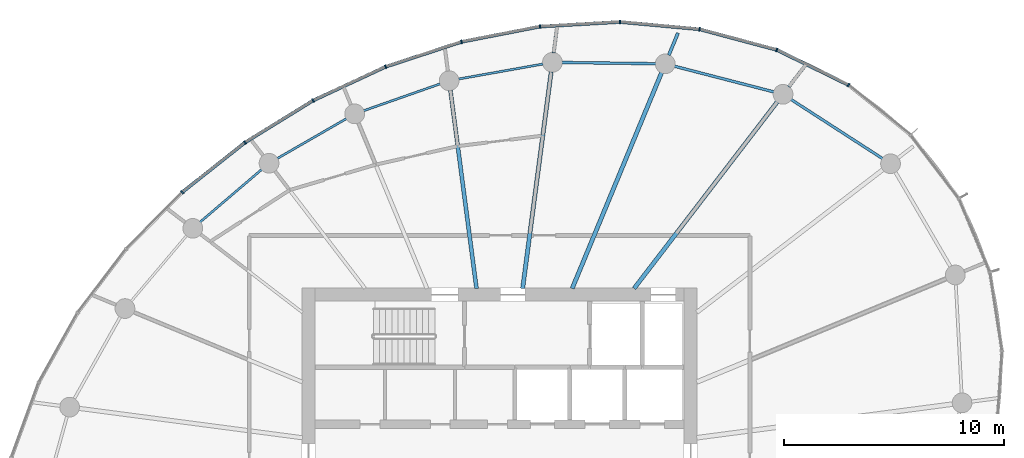
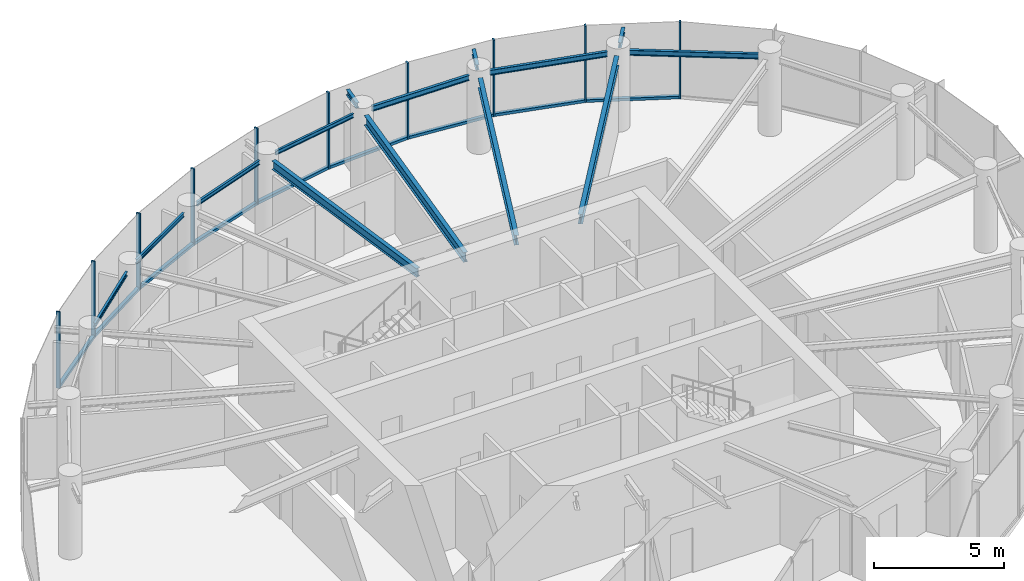
# One storey, part 6 of 14: 19 members, 14 beams, 2 elements without a shape of their own.
"""IFC4 building model written with IfcOpenShell, lengths in metres."""

from ifc_helpers import new_model, si_unit, direction, frame, origin, origin_2d, place, context, subcontext, project, spatial, rectangle, i_section, extrude, source, transform, mapped, material, layer, layer_set, material_profile, profile_set, type_object, element, aggregate, save


model = new_model("IFC4")

# Units and contexts
model_context = context("Model", 3, precision=1e-05, world=origin(), true_north=direction((0.0, 1.0)))
body_context = subcontext(model_context, "Body", "Model", "MODEL_VIEW")
ifc_project = project(units=[si_unit("LENGTHUNIT", "METRE"), si_unit("AREAUNIT", "SQUARE_METRE"), si_unit("VOLUMEUNIT", "CUBIC_METRE"), si_unit("PLANEANGLEUNIT", "RADIAN"), si_unit("MASSUNIT", "GRAM", prefix="KILO")], contexts=[model_context])

# Site, building, storey
site_placement = place(None, origin())
site = spatial("IfcSite", under=ifc_project, at=site_placement, CompositionType="ELEMENT")
building_placement = place(site_placement, origin())
building = spatial("IfcBuilding", under=site, at=building_placement, Name="Spindrift Exchange Tower", CompositionType="ELEMENT")
storey_placement = place(building_placement, frame((0.0, 0.0, 215.0)))
storey = spatial("IfcBuildingStorey", under=building, at=storey_placement, Name="L52", CompositionType="ELEMENT", Elevation=215.0)

# Beams
ifc_material_1 = material(Name="Steel Grade 300", Category="steel")
ifc_material_profile_1 = material_profile(ifc_material_1, i_section(OverallWidth=0.18994140625, OverallDepth=0.4541015625, WebThickness=0.008544921875, FlangeThickness=0.0126953125, FilletRadius=0.013916015625, at=origin_2d()), Name="460UB67.1")
ifc_profile_set_1 = profile_set([ifc_material_profile_1], Name="Steel Grade 300")
beam_type_1 = type_object("IfcBeamType", Name="Floor Beam 460UB67.1 Steel Grade 300", PredefinedType="BEAM", material=ifc_profile_set_1)
shared_shape_1 = source(origin(), body_context, "Body", "SweptSolid", [
    extrude(i_section(OverallWidth=0.18994140625, OverallDepth=0.4541015625, WebThickness=0.008544921875, FlangeThickness=0.0126953125, FilletRadius=0.013916015625, at=origin_2d()), origin(), (0.0, 0.0, 1.0), 10.711181640625),
])
beam_1_placement = place(storey_placement, frame((58.12646484375, 55.984130859375, 3.35302734375), z_axis=(0.608756401092, 0.793357198322, 0.0), x_axis=(-0.793357198322, 0.608756401092, 0.0)))
element("IfcBeam", 1, at=beam_1_placement, inside=storey, type_object=beam_type_1, Name="L52 radial beam R04A", PredefinedType="BEAM", context=body_context, shape_type="MappedRepresentation", body=[
    mapped(shared_shape_1, transform((0.0, 0.0, 0.0), scale=1.0)),
])
shared_shape_2 = source(origin(), body_context, "Body", "SweptSolid", [
    extrude(i_section(OverallWidth=0.18994140625, OverallDepth=0.4541015625, WebThickness=0.008544921875, FlangeThickness=0.0126953125, FilletRadius=0.013916015625, at=origin_2d()), origin(), (0.0, 0.0, 1.0), 10.64111328125),
])
beam_2_placement = place(storey_placement, frame((55.30615234375, 55.9814453125, 3.35302734375), z_axis=(0.382672627597, 0.923884007919, 0.0), x_axis=(-0.923884007919, 0.382672627597, 0.0)))
element("IfcBeam", 2, at=beam_2_placement, inside=storey, type_object=beam_type_1, Name="L52 radial beam R05A", PredefinedType="BEAM", context=body_context, shape_type="MappedRepresentation", body=[
    mapped(shared_shape_2, transform((0.0, 0.0, 0.0), scale=1.0)),
])
shared_shape_3 = source(origin(), body_context, "Body", "SweptSolid", [
    extrude(i_section(OverallWidth=0.18994140625, OverallDepth=0.4541015625, WebThickness=0.008544921875, FlangeThickness=0.0126953125, FilletRadius=0.013916015625, at=origin_2d()), origin(), (0.0, 0.0, 1.0), 9.95703125),
])
beam_3_placement = place(storey_placement, frame((53.050537109375, 55.980224609375, 3.35302734375), z_axis=(0.130541406635, 0.991442858239, 0.0), x_axis=(-0.991442858239, 0.130541406635, 0.0)))
element("IfcBeam", 3, at=beam_3_placement, inside=storey, type_object=beam_type_1, Name="L52 radial beam R06A", PredefinedType="BEAM", context=body_context, shape_type="MappedRepresentation", body=[
    mapped(shared_shape_3, transform((0.0, 0.0, 0.0), scale=1.0)),
])
ifc_material_profile_2 = material_profile(ifc_material_1, i_section(OverallWidth=0.177978515625, OverallDepth=0.403076171875, WebThickness=0.007568359375, FlangeThickness=0.010986328125, FilletRadius=0.013916015625, at=origin_2d()), Name="410UB53.7")
ifc_profile_set_2 = profile_set([ifc_material_profile_2], Name="Steel Grade 300")
beam_type_2 = type_object("IfcBeamType", Name="Floor Beam 410UB53.7 Steel Grade 300", PredefinedType="BEAM", material=ifc_profile_set_2)
shared_shape_4 = source(origin(), body_context, "Body", "SweptSolid", [
    extrude(i_section(OverallWidth=0.177978515625, OverallDepth=0.403076171875, WebThickness=0.007568359375, FlangeThickness=0.010986328125, FilletRadius=0.013916015625, at=origin_2d()), origin(), (0.0, 0.0, 1.0), 9.11376953125),
])
beam_4_placement = place(storey_placement, frame((50.949462890625, 55.980224609375, 3.37841796875), z_axis=(-0.130536972606, 0.991443442049, 0.0), x_axis=(-0.991443442049, -0.130536972606, 0.0)))
element("IfcBeam", 4, at=beam_4_placement, inside=storey, type_object=beam_type_2, Name="L52 radial beam R07A", PredefinedType="BEAM", context=body_context, shape_type="MappedRepresentation", body=[
    mapped(shared_shape_4, transform((0.0, 0.0, 0.0), scale=1.0)),
])
ifc_material_profile_3 = material_profile(ifc_material_1, i_section(OverallWidth=0.1240234375, OverallDepth=0.248046875, WebThickness=0.0048828125, FlangeThickness=0.008056640625, FilletRadius=0.011962890625, at=origin_2d()), Name="250UB25.7")
ifc_profile_set_3 = profile_set([ifc_material_profile_3], Name="Steel Grade 300")
beam_type_3 = type_object("IfcBeamType", Name="Edge Beam 250UB25.7 Steel Grade 300", PredefinedType="SPANDREL", material=ifc_profile_set_3)
shared_shape_5 = source(origin(), body_context, "Body", "SweptSolid", [
    extrude(i_section(OverallWidth=0.1240234375, OverallDepth=0.248046875, WebThickness=0.0048828125, FlangeThickness=0.008056640625, FilletRadius=0.011962890625, at=origin_2d()), origin(), (0.0, 0.0, 1.0), 4.966552734375),
])
beam_5_placement = place(storey_placement, frame((69.44091796875, 61.893310546875, 3.4560546875), z_axis=(-0.839802198579, 0.54289250065, 0.0), x_axis=(-0.54289250065, -0.839802198579, 0.0)))
element("IfcBeam", 5, at=beam_5_placement, inside=storey, type_object=beam_type_3, Name="L52 edge beam E03", PredefinedType="SPANDREL", context=body_context, shape_type="MappedRepresentation", body=[
    mapped(shared_shape_5, transform((0.0, 0.0, 0.0), scale=1.0)),
])
shared_shape_6 = source(origin(), body_context, "Body", "SweptSolid", [
    extrude(i_section(OverallWidth=0.1240234375, OverallDepth=0.248046875, WebThickness=0.0048828125, FlangeThickness=0.008056640625, FilletRadius=0.011962890625, at=origin_2d()), origin(), (0.0, 0.0, 1.0), 4.682373046875),
])
beam_6_placement = place(storey_placement, frame((64.492431640625, 64.9306640625, 3.4560546875), z_axis=(-0.968201586176, 0.250171318352, 0.0), x_axis=(-0.250171318352, -0.968201586176, 0.0)))
element("IfcBeam", 6, at=beam_6_placement, inside=storey, type_object=beam_type_3, Name="L52 edge beam E04", PredefinedType="SPANDREL", context=body_context, shape_type="MappedRepresentation", body=[
    mapped(shared_shape_6, transform((0.0, 0.0, 0.0), scale=1.0)),
])
shared_shape_7 = source(origin(), body_context, "Body", "SweptSolid", [
    extrude(i_section(OverallWidth=0.1240234375, OverallDepth=0.248046875, WebThickness=0.0048828125, FlangeThickness=0.008056640625, FilletRadius=0.011962890625, at=origin_2d()), origin(), (0.0, 0.0, 1.0), 4.27685546875),
])
beam_7_placement = place(storey_placement, frame((59.11279296875, 66.21533203125, 3.4560546875), z_axis=(-0.999910013527, 0.013415097807, 0.0), x_axis=(-0.013415097807, -0.999910013527, 0.0)))
element("IfcBeam", 7, at=beam_7_placement, inside=storey, type_object=beam_type_3, Name="L52 edge beam E05", PredefinedType="SPANDREL", context=body_context, shape_type="MappedRepresentation", body=[
    mapped(shared_shape_7, transform((0.0, 0.0, 0.0), scale=1.0)),
])
ifc_material_profile_4 = material_profile(ifc_material_1, i_section(OverallWidth=0.09912109375, OverallDepth=0.197998046875, WebThickness=0.00439453125, FlangeThickness=0.007080078125, FilletRadius=0.010986328125, at=origin_2d()), Name="200UB18.2")
ifc_profile_set_4 = profile_set([ifc_material_profile_4], Name="Steel Grade 300")
beam_type_4 = type_object("IfcBeamType", Name="Edge Beam 200UB18.2 Steel Grade 300", PredefinedType="SPANDREL", material=ifc_profile_set_4)
shared_shape_8 = source(origin(), body_context, "Body", "SweptSolid", [
    extrude(i_section(OverallWidth=0.09912109375, OverallDepth=0.197998046875, WebThickness=0.00439453125, FlangeThickness=0.007080078125, FilletRadius=0.010986328125, at=origin_2d()), origin(), (0.0, 0.0, 1.0), 3.916259765625),
])
beam_8_placement = place(storey_placement, frame((53.98291015625, 66.203125, 3.48095703125), z_axis=(-0.984558687682, -0.175054821441, 0.0), x_axis=(0.175054821441, -0.984558687682, 0.0)))
element("IfcBeam", 8, at=beam_8_placement, inside=storey, type_object=beam_type_4, Name="L52 edge beam E06", PredefinedType="SPANDREL", context=body_context, shape_type="MappedRepresentation", body=[
    mapped(shared_shape_8, transform((0.0, 0.0, 0.0), scale=1.0)),
])
shared_shape_9 = source(origin(), body_context, "Body", "SweptSolid", [
    extrude(i_section(OverallWidth=0.09912109375, OverallDepth=0.197998046875, WebThickness=0.00439453125, FlangeThickness=0.007080078125, FilletRadius=0.010986328125, at=origin_2d()), origin(), (0.0, 0.0, 1.0), 3.700439453125),
])
beam_9_placement = place(storey_placement, frame((49.298095703125, 65.300048828125, 3.48095703125), z_axis=(-0.943515334916, -0.331328858957, 0.0), x_axis=(0.331328858957, -0.943515334916, 0.0)))
element("IfcBeam", 9, at=beam_9_placement, inside=storey, type_object=beam_type_4, Name="L52 edge beam E07", PredefinedType="SPANDREL", context=body_context, shape_type="MappedRepresentation", body=[
    mapped(shared_shape_9, transform((0.0, 0.0, 0.0), scale=1.0)),
])
shared_shape_10 = source(origin(), body_context, "Body", "SweptSolid", [
    extrude(i_section(OverallWidth=0.09912109375, OverallDepth=0.197998046875, WebThickness=0.00439453125, FlangeThickness=0.007080078125, FilletRadius=0.010986328125, at=origin_2d()), origin(), (0.0, 0.0, 1.0), 3.64208984375),
])
beam_10_placement = place(storey_placement, frame((45.028564453125, 63.716552734375, 3.48095703125), z_axis=(-0.866364093123, -0.499412913476, 0.0), x_axis=(0.499412913476, -0.866364093123, 0.0)))
element("IfcBeam", 10, at=beam_10_placement, inside=storey, type_object=beam_type_4, Name="L52 edge beam E08", PredefinedType="SPANDREL", context=body_context, shape_type="MappedRepresentation", body=[
    mapped(shared_shape_10, transform((0.0, 0.0, 0.0), scale=1.0)),
])
shared_shape_11 = source(origin(), body_context, "Body", "SweptSolid", [
    extrude(i_section(OverallWidth=0.09912109375, OverallDepth=0.197998046875, WebThickness=0.00439453125, FlangeThickness=0.007080078125, FilletRadius=0.010986328125, at=origin_2d()), origin(), (0.0, 0.0, 1.0), 3.703857421875),
])
beam_11_placement = place(storey_placement, frame((41.173583984375, 61.40380859375, 3.48095703125), z_axis=(-0.7606692863, -0.64913961278, 0.0), x_axis=(0.64913961278, -0.7606692863, 0.0)))
element("IfcBeam", 11, at=beam_11_placement, inside=storey, type_object=beam_type_4, Name="L52 edge beam E09", PredefinedType="SPANDREL", context=body_context, shape_type="MappedRepresentation", body=[
    mapped(shared_shape_11, transform((0.0, 0.0, 0.0), scale=1.0)),
])
ifc_material_profile_5 = material_profile(ifc_material_1, i_section(OverallWidth=0.14599609375, OverallDepth=0.251953125, WebThickness=0.006103515625, FlangeThickness=0.008544921875, FilletRadius=0.011962890625, at=origin_2d()), Name="250UB31.4")
ifc_profile_set_5 = profile_set([ifc_material_profile_5], Name="Steel Grade 300")
beam_type_5 = type_object("IfcBeamType", Name="Cantilever Beam 250UB31.4 Steel Grade 300", PredefinedType="BEAM", material=ifc_profile_set_5)
shared_shape_12 = source(origin(), body_context, "Body", "SweptSolid", [
    extrude(i_section(OverallWidth=0.14599609375, OverallDepth=0.251953125, WebThickness=0.006103515625, FlangeThickness=0.008544921875, FilletRadius=0.011962890625, at=origin_2d()), origin(), (0.0, 0.0, 1.0), 1.06689453125),
])
beam_12_placement = place(storey_placement, frame((65.170654296875, 65.164306640625, 3.4541015625), z_axis=(0.608714952833, 0.793389000553, 0.0), x_axis=(-0.793389000553, 0.608714952833, 0.0)))
element("IfcBeam", 12, at=beam_12_placement, inside=storey, type_object=beam_type_5, Name="L52 cantilever beam R04T", PredefinedType="BEAM", context=body_context, shape_type="MappedRepresentation", body=[
    mapped(shared_shape_12, transform((0.0, 0.0, 0.0), scale=1.0)),
])
shared_shape_13 = source(origin(), body_context, "Body", "SweptSolid", [
    extrude(i_section(OverallWidth=0.14599609375, OverallDepth=0.251953125, WebThickness=0.006103515625, FlangeThickness=0.008544921875, FilletRadius=0.011962890625, at=origin_2d()), origin(), (0.0, 0.0, 1.0), 1.087890625),
])
beam_13_placement = place(storey_placement, frame((59.707275390625, 66.60693359375, 3.4541015625), z_axis=(0.382622665647, 0.923904700569, 0.0), x_axis=(-0.923904700569, 0.382622665647, 0.0)))
element("IfcBeam", 13, at=beam_13_placement, inside=storey, type_object=beam_type_5, Name="L52 cantilever beam R05T", PredefinedType="BEAM", context=body_context, shape_type="MappedRepresentation", body=[
    mapped(shared_shape_13, transform((0.0, 0.0, 0.0), scale=1.0)),
])
shared_shape_14 = source(origin(), body_context, "Body", "SweptSolid", [
    extrude(i_section(OverallWidth=0.14599609375, OverallDepth=0.251953125, WebThickness=0.006103515625, FlangeThickness=0.008544921875, FilletRadius=0.011962890625, at=origin_2d()), origin(), (0.0, 0.0, 1.0), 0.994384765625),
])
beam_14_placement = place(storey_placement, frame((54.46240234375, 66.70458984375, 3.4541015625), z_axis=(0.130619643054, 0.991432553858, 0.0), x_axis=(-0.991432553858, 0.130619643054, 0.0)))
element("IfcBeam", 14, at=beam_14_placement, inside=storey, type_object=beam_type_5, Name="L52 cantilever beam R06T", PredefinedType="BEAM", context=body_context, shape_type="MappedRepresentation", body=[
    mapped(shared_shape_14, transform((0.0, 0.0, 0.0), scale=1.0)),
])

# Curtain wall, members
ifc_material_2 = material(Name="Fritted laminated glass with bronze frame", Category="glass")
ifc_layer = layer(ifc_material_2, 0.169921875)
ifc_layer_set = layer_set([ifc_layer], Name="ZONE 4 BRONZE FRITTED WALL")
curtain_wall_type = type_object("IfcCurtainWallType", Name="ZONE 4 BRONZE FRITTED WALL", PredefinedType="NOTDEFINED", material=ifc_layer_set)
curtain_wall_1_placement = place(storey_placement, origin())
curtain_wall_1 = element("IfcCurtainWall", 15, at=curtain_wall_1_placement, inside=storey, type_object=curtain_wall_type, Name="L52 Zone 4 Bronze Fritted Wall run 2", PredefinedType="NOTDEFINED")
ifc_material_3 = material(Name="Bronze anodised aluminium", Category="aluminium")
ifc_material_profile_6 = material_profile(ifc_material_3, rectangle(XDim=0.14990234375, YDim=0.125, at=origin_2d()), Name="ZONE 4 BRONZE FRITTED WALL TRANSOM 150X125")
ifc_profile_set_6 = profile_set([ifc_material_profile_6], Name="Bronze anodised aluminium")
member_type_1 = type_object("IfcMemberType", Name="ZONE 4 BRONZE FRITTED WALL TRANSOM 150X125", PredefinedType="USERDEFINED", material=ifc_profile_set_6)
shared_shape_15 = source(origin(), body_context, "Body", "SweptSolid", [
    extrude(rectangle(XDim=0.14990234375, YDim=0.125, at=origin_2d()), origin(), (0.0, 0.0, 1.0), 3.57763671875),
])
member_1_placement = place(storey_placement, frame((50.238037109375, 67.205078125, 0.0625), z_axis=(-0.950126820733, -0.311863791622, 0.0), x_axis=(0.311863791622, -0.950126820733, 0.0)))
member_1 = element("IfcMember", 16, at=member_1_placement, type_object=member_type_1, Name="L52 transom CW-4.8", ObjectType="TRANSOM", PredefinedType="USERDEFINED", context=body_context, shape_type="MappedRepresentation", body=[
    mapped(shared_shape_15, transform((0.0, 0.0, 0.0), scale=1.0)),
])
member_2_placement = place(storey_placement, frame((46.7783203125, 66.065673828125, 0.0625), z_axis=(-0.906411382534, -0.422396029352, 0.0), x_axis=(0.422396029352, -0.906411382534, 0.0)))
member_2 = element("IfcMember", 17, at=member_2_placement, type_object=member_type_1, Name="L52 transom CW-4.9", ObjectType="TRANSOM", PredefinedType="USERDEFINED", context=body_context, shape_type="MappedRepresentation", body=[
    mapped(shared_shape_15, transform((0.0, 0.0, 0.0), scale=1.0)),
])
member_3_placement = place(storey_placement, frame((43.478271484375, 64.523681640625, 0.0625), z_axis=(-0.851210500445, -0.524824431531, 0.0), x_axis=(0.524824431531, -0.851210500445, 0.0)))
member_3 = element("IfcMember", 18, at=member_3_placement, type_object=member_type_1, Name="L52 transom CW-4.10", ObjectType="TRANSOM", PredefinedType="USERDEFINED", context=body_context, shape_type="MappedRepresentation", body=[
    mapped(shared_shape_15, transform((0.0, 0.0, 0.0), scale=1.0)),
])
member_4_placement = place(storey_placement, frame((40.379638671875, 62.608642578125, 0.0625), z_axis=(-0.78399462455, -0.620767612458, 0.0), x_axis=(0.620767612458, -0.78399462455, 0.0)))
member_4 = element("IfcMember", 19, at=member_4_placement, type_object=member_type_1, Name="L52 transom CW-4.11", ObjectType="TRANSOM", PredefinedType="USERDEFINED", context=body_context, shape_type="MappedRepresentation", body=[
    mapped(shared_shape_15, transform((0.0, 0.0, 0.0), scale=1.0)),
])
shared_shape_16 = source(origin(), body_context, "Body", "SweptSolid", [
    extrude(rectangle(XDim=0.14990234375, YDim=0.125, at=origin_2d()), origin(), (0.0, 0.0, 1.0), 3.577392578125),
])
member_5_placement = place(storey_placement, frame((53.812255859375, 67.9052734375, 0.0625), z_axis=(-0.981560296603, -0.191152776944, 0.0), x_axis=(0.191152776944, -0.981560296603, 0.0)))
member_5 = element("IfcMember", 20, at=member_5_placement, type_object=member_type_1, Name="L52 transom CW-4.7", ObjectType="TRANSOM", PredefinedType="USERDEFINED", context=body_context, shape_type="MappedRepresentation", body=[
    mapped(shared_shape_16, transform((0.0, 0.0, 0.0), scale=1.0)),
])

curtain_wall_2_placement = place(storey_placement, origin())
curtain_wall_2 = element("IfcCurtainWall", 21, at=curtain_wall_2_placement, inside=storey, type_object=curtain_wall_type, Name="L52 Zone 4 Bronze Fritted Wall run 1", PredefinedType="NOTDEFINED")
ifc_material_profile_7 = material_profile(ifc_material_3, rectangle(XDim=0.06494140625, YDim=0.169921875, at=origin_2d()), Name="ZONE 4 BRONZE FRITTED WALL MULLION 65X170")
ifc_profile_set_7 = profile_set([ifc_material_profile_7], Name="Bronze anodised aluminium")
member_type_2 = type_object("IfcMemberType", Name="ZONE 4 BRONZE FRITTED WALL MULLION 65X170", PredefinedType="MULLION", material=ifc_profile_set_7)
shared_shape_17 = source(origin(), body_context, "Body", "SweptSolid", [
    extrude(rectangle(XDim=0.06494140625, YDim=0.169921875, at=origin_2d()), origin(), (0.0, 0.0, 1.0), 3.580078125),
])
member_6_placement = place(storey_placement, frame((67.889892578125, 65.247314453125, 0.0), z_axis=(0.0, 0.0, 1.0), x_axis=(-0.844104736574, 0.536178322663, 0.0)))
member_6 = element("IfcMember", 22, at=member_6_placement, type_object=member_type_2, Name="L52 mullion CW-4.3", PredefinedType="MULLION", context=body_context, shape_type="MappedRepresentation", body=[
    mapped(shared_shape_17, transform((0.0, 0.0, 0.0), scale=1.0)),
])
member_7_placement = place(storey_placement, frame((64.622314453125, 66.846923828125, 0.0), z_axis=(0.0, 0.0, 1.0), x_axis=(-0.936535630369, 0.350572407712, 0.0)))
member_7 = element("IfcMember", 23, at=member_7_placement, type_object=member_type_2, Name="L52 mullion CW-4.4", PredefinedType="MULLION", context=body_context, shape_type="MappedRepresentation", body=[
    mapped(shared_shape_17, transform((0.0, 0.0, 0.0), scale=1.0)),
])
member_8_placement = place(storey_placement, frame((61.105712890625, 67.78662109375, 0.0), z_axis=(0.0, 0.0, 1.0), x_axis=(-0.984463155194, 0.175591275598, 0.0)))
member_8 = element("IfcMember", 24, at=member_8_placement, type_object=member_type_2, Name="L52 mullion CW-4.5", PredefinedType="MULLION", context=body_context, shape_type="MappedRepresentation", body=[
    mapped(shared_shape_17, transform((0.0, 0.0, 0.0), scale=1.0)),
])
member_9_placement = place(storey_placement, frame((57.47998046875, 68.120849609375, 0.0), z_axis=(0.0, 0.0, 1.0), x_axis=(-0.999852196729, 0.017192576778, 0.0)))
member_9 = element("IfcMember", 25, at=member_9_placement, type_object=member_type_2, Name="L52 mullion CW-4.6", PredefinedType="MULLION", context=body_context, shape_type="MappedRepresentation", body=[
    mapped(shared_shape_17, transform((0.0, 0.0, 0.0), scale=1.0)),
])

# Member
member_10_placement = place(storey_placement, frame((53.843994140625, 67.91162109375, 0.0), z_axis=(0.0, 0.0, 1.0), x_axis=(-0.992208579473, -0.124587859843, 0.0)))
member_10 = element("IfcMember", 26, at=member_10_placement, type_object=member_type_2, Name="L52 mullion CW-4.7", PredefinedType="MULLION", context=body_context, shape_type="MappedRepresentation", body=[
    mapped(shared_shape_17, transform((0.0, 0.0, 0.0), scale=1.0)),
])

member_11_placement = place(storey_placement, frame((50.268798828125, 67.21533203125, 0.0), z_axis=(0.0, 0.0, 1.0), x_axis=(-0.967729728838, -0.251990420299, 0.0)))
member_11 = element("IfcMember", 27, at=member_11_placement, type_object=member_type_2, Name="L52 mullion CW-4.8", PredefinedType="MULLION", context=body_context, shape_type="MappedRepresentation", body=[
    mapped(shared_shape_17, transform((0.0, 0.0, 0.0), scale=1.0)),
])

member_12_placement = place(storey_placement, frame((46.807861328125, 66.079345703125, 0.0), z_axis=(0.0, 0.0, 1.0), x_axis=(-0.929918957468, -0.367764506908, 0.0)))
member_12 = element("IfcMember", 28, at=member_12_placement, type_object=member_type_2, Name="L52 mullion CW-4.9", PredefinedType="MULLION", context=body_context, shape_type="MappedRepresentation", body=[
    mapped(shared_shape_17, transform((0.0, 0.0, 0.0), scale=1.0)),
])

member_13_placement = place(storey_placement, frame((43.506103515625, 64.540771484375, 0.0), z_axis=(0.0, 0.0, 1.0), x_axis=(-0.880314263733, -0.474390974901, 0.0)))
member_13 = element("IfcMember", 29, at=member_13_placement, type_object=member_type_2, Name="L52 mullion CW-4.10", PredefinedType="MULLION", context=body_context, shape_type="MappedRepresentation", body=[
    mapped(shared_shape_17, transform((0.0, 0.0, 0.0), scale=1.0)),
])

member_14_placement = place(storey_placement, frame((40.405029296875, 62.62890625, 0.0), z_axis=(0.0, 0.0, 1.0), x_axis=(-0.819015537022, -0.573771339574, 0.0)))
member_14 = element("IfcMember", 30, at=member_14_placement, type_object=member_type_2, Name="L52 mullion CW-4.11", PredefinedType="MULLION", context=body_context, shape_type="MappedRepresentation", body=[
    mapped(shared_shape_17, transform((0.0, 0.0, 0.0), scale=1.0)),
])

member_15_placement = place(storey_placement, frame((37.54931640625, 60.36767578125, 0.0), z_axis=(0.0, 0.0, 1.0), x_axis=(-0.74489238717, -0.66718463077, 0.0)))
member_15 = element("IfcMember", 31, at=member_15_placement, type_object=member_type_2, Name="L52 mullion CW-4.12", PredefinedType="MULLION", context=body_context, shape_type="MappedRepresentation", body=[
    mapped(shared_shape_17, transform((0.0, 0.0, 0.0), scale=1.0)),
])

aggregate(curtain_wall_1, [member_10, member_5, member_11, member_1, member_12, member_2, member_13, member_3, member_14, member_4, member_15])

shared_shape_18 = source(origin(), body_context, "Body", "SweptSolid", [
    extrude(rectangle(XDim=0.14990234375, YDim=0.125, at=origin_2d()), origin(), (0.0, 0.0, 1.0), 3.576904296875),
])
member_16_placement = place(storey_placement, frame((57.447509765625, 68.118896484375, 0.0625), z_axis=(-0.998347254597, -0.057469637545, 0.0), x_axis=(0.057469637545, -0.998347254597, 0.0)))
member_16 = element("IfcMember", 32, at=member_16_placement, type_object=member_type_1, Name="L52 transom CW-4.6", ObjectType="TRANSOM", PredefinedType="USERDEFINED", context=body_context, shape_type="MappedRepresentation", body=[
    mapped(shared_shape_18, transform((0.0, 0.0, 0.0), scale=1.0)),
])

shared_shape_19 = source(origin(), body_context, "Body", "SweptSolid", [
    extrude(rectangle(XDim=0.14990234375, YDim=0.125, at=origin_2d()), origin(), (0.0, 0.0, 1.0), 3.573486328125),
])
member_17_placement = place(storey_placement, frame((67.86083984375, 65.261474609375, 0.0625), z_axis=(-0.898139804198, 0.439710009114, 0.0), x_axis=(-0.439710009114, -0.898139804198, 0.0)))
member_17 = element("IfcMember", 33, at=member_17_placement, type_object=member_type_1, Name="L52 transom CW-4.3", ObjectType="TRANSOM", PredefinedType="USERDEFINED", context=body_context, shape_type="MappedRepresentation", body=[
    mapped(shared_shape_19, transform((0.0, 0.0, 0.0), scale=1.0)),
])

shared_shape_20 = source(origin(), body_context, "Body", "SweptSolid", [
    extrude(rectangle(XDim=0.14990234375, YDim=0.125, at=origin_2d()), origin(), (0.0, 0.0, 1.0), 3.575927734375),
])
member_18_placement = place(storey_placement, frame((61.0732421875, 67.789794921875, 0.0625), z_axis=(-0.995781087532, 0.09176069809, 0.0), x_axis=(-0.09176069809, -0.995781087532, 0.0)))
member_18 = element("IfcMember", 34, at=member_18_placement, type_object=member_type_1, Name="L52 transom CW-4.5", ObjectType="TRANSOM", PredefinedType="USERDEFINED", context=body_context, shape_type="MappedRepresentation", body=[
    mapped(shared_shape_20, transform((0.0, 0.0, 0.0), scale=1.0)),
])

shared_shape_21 = source(origin(), body_context, "Body", "SweptSolid", [
    extrude(rectangle(XDim=0.14990234375, YDim=0.125, at=origin_2d()), origin(), (0.0, 0.0, 1.0), 3.57470703125),
])
member_19_placement = place(storey_placement, frame((64.5908203125, 66.85546875, 0.0625), z_axis=(-0.966103324351, 0.258155702393, 0.0), x_axis=(-0.258155702393, -0.966103324351, 0.0)))
member_19 = element("IfcMember", 35, at=member_19_placement, type_object=member_type_1, Name="L52 transom CW-4.4", ObjectType="TRANSOM", PredefinedType="USERDEFINED", context=body_context, shape_type="MappedRepresentation", body=[
    mapped(shared_shape_21, transform((0.0, 0.0, 0.0), scale=1.0)),
])

aggregate(curtain_wall_2, [member_6, member_17, member_7, member_19, member_8, member_18, member_9, member_16])

save(model, "model.ifc")
